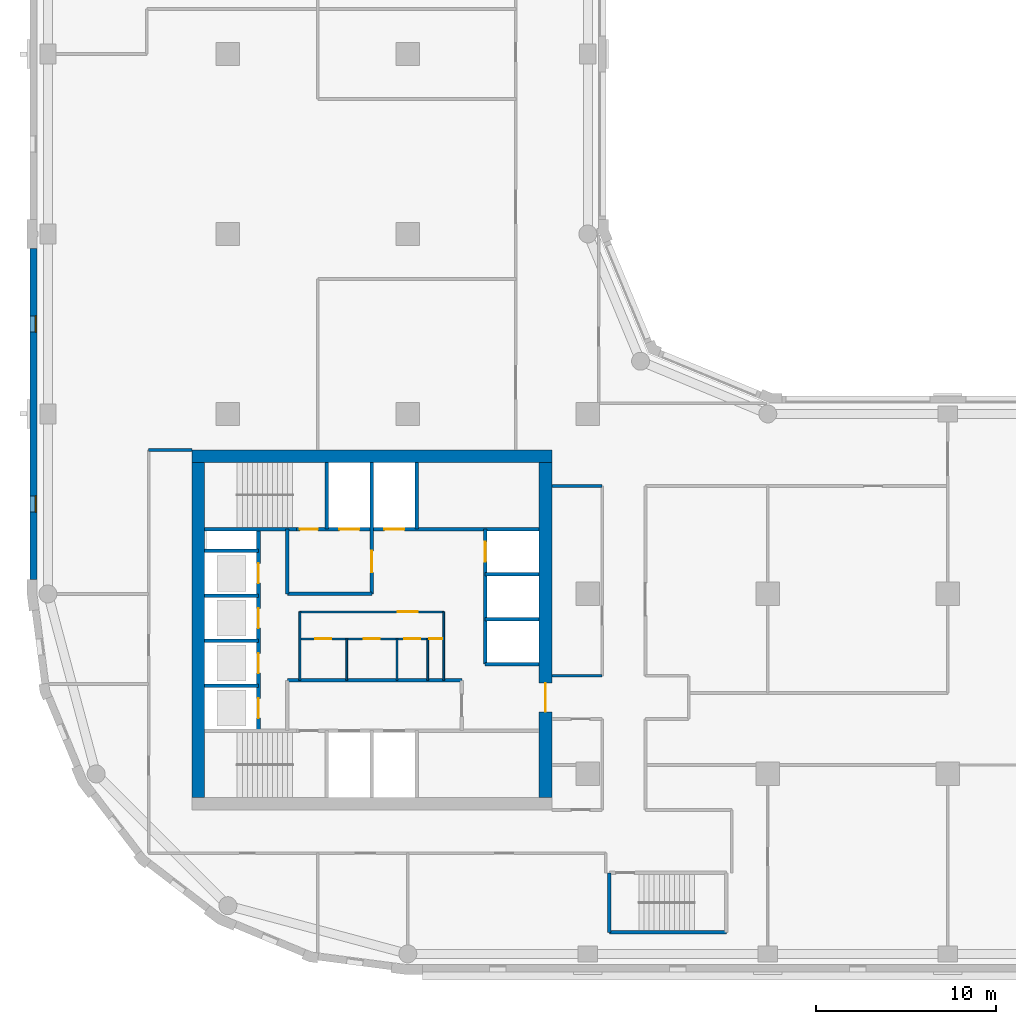
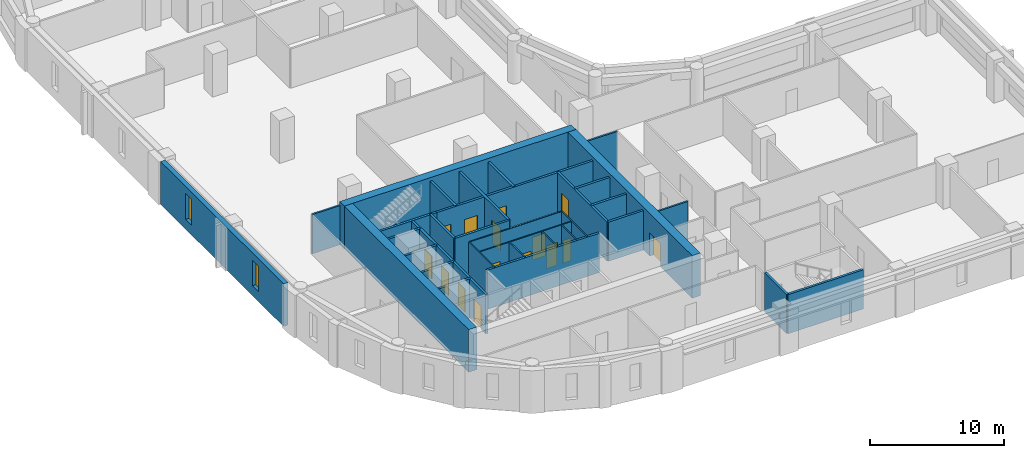
# One storey, part 3 of 9: 33 walls, 15 doors, 2 windows, 17 openings.
"""IFC4 building model written with IfcOpenShell, lengths in metres."""

import ifcopenshell
import ifcopenshell.guid

model = None  # the IFC model being written
_history = None  # IfcOwnerHistory: only IFC2X3 demands one
_inside = {}  # id of a spatial element -> (the spatial element, [elements in it])
_under = {}  # id of a project, library or spatial element -> (it, [spatial elements below it])
_declared = {}  # id of a project -> (the project, [libraries it declares])
_typed = {}  # id of a type object -> (the type object, [elements of that type])
_made_of = {}  # id of a material, layer set ... -> (it, [elements and type objects made of it])


def new_model(schema):
    """Start an empty IFC model of exactly this schema.

    Asked for "IFC4X3", IfcOpenShell would pick the latest addendum, in which some entities
    have other attributes; the version numbers below select the first issue.
    IFC2X3 requires an IfcOwnerHistory on every rooted entity: one is made here for all.
    """
    global model, _history
    if schema == "IFC4X3":
        model = ifcopenshell.file(schema_version=(4, 3, 0, 0))
    else:
        model = ifcopenshell.file(schema=schema)
    _inside.clear()
    _under.clear()
    _declared.clear()
    _typed.clear()
    _made_of.clear()
    _history = None
    if model.schema == "IFC2X3":
        org = make("IfcOrganization", Name="unknown")
        user = make(
            "IfcPersonAndOrganization",
            ThePerson=make("IfcPerson", FamilyName="unknown"),
            TheOrganization=org,
        )
        app = make(
            "IfcApplication",
            ApplicationDeveloper=org,
            Version="unknown",
            ApplicationFullName="unknown",
            ApplicationIdentifier="unknown",
        )
        _history = make(
            "IfcOwnerHistory",
            OwningUser=user,
            OwningApplication=app,
            ChangeAction="ADDED",
            CreationDate=0,
        )
    return model


def make(cls, **values):
    """One entity of the class cls with the attributes given. An attribute that is None is left unset."""
    return model.create_entity(
        cls, **{name: value for name, value in values.items() if value is not None}
    )


def rooted(cls, **values):
    """An entity with a GlobalId (a new one), such as an element, a storey or a relation."""
    return make(cls, GlobalId=ifcopenshell.guid.new(), OwnerHistory=_history, **values)


def si_unit(unit_type, name, prefix=None):
    """IfcSIUnit, for example si_unit("LENGTHUNIT", "METRE", prefix="MILLI")."""
    return make("IfcSIUnit", UnitType=unit_type, Prefix=prefix, Name=name)


def assignment(units):
    """IfcUnitAssignment: the units of a project."""
    return None if units is None else make("IfcUnitAssignment", Units=units)


def point(xyz):
    """IfcCartesianPoint."""
    return None if xyz is None else make("IfcCartesianPoint", Coordinates=xyz)


def direction(xyz):
    """IfcDirection."""
    return None if xyz is None else make("IfcDirection", DirectionRatios=xyz)


def frame(location, z_axis=None, x_axis=None):
    """IfcAxis2Placement3D, a coordinate frame: its origin and axes. An axis left out is left unset."""
    return make(
        "IfcAxis2Placement3D",
        Location=point(location),
        Axis=direction(z_axis),
        RefDirection=direction(x_axis),
    )


def frame_2d(location, x_axis=None):
    """IfcAxis2Placement2D, a coordinate frame in the plane: its origin and x axis."""
    return make(
        "IfcAxis2Placement2D", Location=point(location), RefDirection=direction(x_axis)
    )


def origin():
    """The frame at (0, 0, 0) with its axes left unset."""
    return frame((0.0, 0.0, 0.0))


def place(relative_to, where):
    """IfcLocalPlacement: puts the frame where relative to a parent placement (None: the world)."""
    return make(
        "IfcLocalPlacement", PlacementRelTo=relative_to, RelativePlacement=where
    )


def context(
    kind, dimensions, precision=None, world=None, true_north=None, identifier=None
):
    """IfcGeometricRepresentationContext, for example the 3D "Model" context."""
    return make(
        "IfcGeometricRepresentationContext",
        ContextIdentifier=identifier,
        ContextType=kind,
        CoordinateSpaceDimension=dimensions,
        Precision=precision,
        WorldCoordinateSystem=world,
        TrueNorth=true_north,
    )


def subcontext(parent, identifier, kind, view, scale=None):
    """IfcGeometricRepresentationSubContext, for example "Body" below "Model"."""
    return make(
        "IfcGeometricRepresentationSubContext",
        ContextIdentifier=identifier,
        ContextType=kind,
        ParentContext=parent,
        TargetScale=scale,
        TargetView=view,
    )


def project(units=None, contexts=None):
    """IfcProject with its units and contexts."""
    return rooted(
        "IfcProject",
        Name="project",
        RepresentationContexts=contexts,
        UnitsInContext=assignment(units),
    )


def spatial(cls, under=None, at=None, **own):
    """A site, building, storey or space (cls), placed at a placement, below another one or the project."""
    s = rooted(cls, ObjectPlacement=at, **own)
    if under is not None:
        _under.setdefault(under.id(), (under, []))[1].append(s)
    return s


def profile(cls, at=None, kind="AREA", **sizes):
    """A parametric profile (cls). Its sizes go by their IFC names, for example OverallWidth=200.0."""
    return make(cls, ProfileType=kind, Position=at, **sizes)


def rectangle(**sizes):
    """IfcRectangleProfileDef."""
    return profile("IfcRectangleProfileDef", **sizes)


def extrude(swept, where, along, depth):
    """IfcExtrudedAreaSolid: the profile swept, set in the frame where, extruded along a direction by depth."""
    return make(
        "IfcExtrudedAreaSolid",
        SweptArea=swept,
        Position=where,
        ExtrudedDirection=direction(along),
        Depth=depth,
    )


def shape(context_of_items, identifier, shape_type, items):
    """IfcShapeRepresentation: the items that make up one representation, for example the "Body"."""
    return make(
        "IfcShapeRepresentation",
        ContextOfItems=context_of_items,
        RepresentationIdentifier=identifier,
        RepresentationType=shape_type,
        Items=items,
    )


def material(Name=None, Category=None):
    """IfcMaterial."""
    return make("IfcMaterial", Name=Name, Category=Category)


def layer(
    of_material, thickness, ventilated=None, Name=None, Category=None, Priority=None
):
    """IfcMaterialLayer: one layer of a wall or slab, of a material (None: an air gap)."""
    return make(
        "IfcMaterialLayer",
        Material=of_material,
        LayerThickness=thickness,
        IsVentilated=ventilated,
        Name=Name,
        Category=Category,
        Priority=Priority,
    )


def layer_set(layers, Name=None):
    """IfcMaterialLayerSet."""
    return make("IfcMaterialLayerSet", MaterialLayers=layers, LayerSetName=Name)


def made_of(thing, what):
    """Note that an element or type object is made of a material, layer set ...; save() writes the relation."""
    if what is not None:
        _made_of.setdefault(what.id(), (what, []))[1].append(thing)
    return thing


def type_object(cls, material=None, **own):
    """A type object (cls), such as IfcWallType, which elements share."""
    return made_of(rooted(cls, **own), material)


def element(
    cls,
    number,
    at=None,
    inside=None,
    cuts=None,
    type_object=None,
    material=None,
    context=None,
    identifier="Body",
    shape_type=None,
    held_by="IfcProductDefinitionShape",
    body=None,
    shapes=None,
    **own,
):
    """One element of the class cls, such as IfcWall. Its Tag is "e" and its number.

    at: its placement. inside: the storey or other place that contains it. cuts: it is an
    opening in that element (IfcRelVoidsElement). A single representation is given by context,
    identifier, shape_type and body (its items); several are given by shapes. held_by: the class
    of the entity that holds the representations. save() writes the other relations.
    """
    e = rooted(cls, Tag="e%d" % number, ObjectPlacement=at, **own)
    if body is not None:
        shapes = [shape(context, identifier, shape_type, body)]
    if shapes is not None:
        e.Representation = make(held_by, Representations=shapes)
    if inside is not None:
        _inside.setdefault(inside.id(), (inside, []))[1].append(e)
    if cuts is not None:
        rooted(
            "IfcRelVoidsElement", RelatingBuildingElement=cuts, RelatedOpeningElement=e
        )
    if type_object is not None:
        _typed.setdefault(type_object.id(), (type_object, []))[1].append(e)
    return made_of(e, material)


def fill(opening, filler):
    """IfcRelFillsElement: the door or window that sits in an opening."""
    return rooted(
        "IfcRelFillsElement",
        RelatingOpeningElement=opening,
        RelatedBuildingElement=filler,
    )


def aggregate(whole, parts):
    """IfcRelAggregates: a whole, such as a stair, and the parts it consists of."""
    return rooted("IfcRelAggregates", RelatingObject=whole, RelatedObjects=parts)


def save(model, path):
    """Write the relations noted so far, then the file.

    IfcRelAggregates (storeys below a building ...), IfcRelContainedInSpatialStructure (elements
    in a storey), IfcRelDefinesByType, IfcRelAssociatesMaterial and IfcRelDeclares: one each for
    every whole, place, type object, material and project.
    """
    for whole, parts in _under.values():
        aggregate(whole, parts)
    for where, things in _inside.values():
        rooted(
            "IfcRelContainedInSpatialStructure",
            RelatedElements=things,
            RelatingStructure=where,
        )
    for kind, things in _typed.values():
        rooted("IfcRelDefinesByType", RelatedObjects=things, RelatingType=kind)
    for what, things in _made_of.values():
        rooted("IfcRelAssociatesMaterial", RelatedObjects=things, RelatingMaterial=what)
    for by, libraries in _declared.values():
        rooted("IfcRelDeclares", RelatingContext=by, RelatedDefinitions=libraries)
    model.write(path)


model = new_model("IFC4")

# Units and contexts
model_context = context("Model", 3, precision=1e-05, world=origin(), true_north=direction((0.0, 1.0)))
body_context = subcontext(model_context, "Body", "Model", "MODEL_VIEW")
ifc_project = project(units=[si_unit("LENGTHUNIT", "METRE"), si_unit("AREAUNIT", "SQUARE_METRE"), si_unit("VOLUMEUNIT", "CUBIC_METRE"), si_unit("PLANEANGLEUNIT", "RADIAN"), si_unit("MASSUNIT", "GRAM", prefix="KILO")], contexts=[model_context])

# Site, building, storey
site_placement = place(None, origin())
site = spatial("IfcSite", under=ifc_project, at=site_placement, CompositionType="ELEMENT")
building_placement = place(site_placement, origin())
building = spatial("IfcBuilding", under=site, at=building_placement, Name="Qaws Garden Tower", CompositionType="ELEMENT")
storey_placement = place(building_placement, frame((0.0, 0.0, 194.10009765625)))
storey = spatial("IfcBuildingStorey", under=building, at=storey_placement, Name="L47", CompositionType="ELEMENT", Elevation=194.10009765625)

# Wall, openings, windows
ifc_material_1 = material(Name="Clay facing brick masonry", Category="masonry")
ifc_layer_1 = layer(ifc_material_1, 0.39990234375)
ifc_layer_set_1 = layer_set([ifc_layer_1], Name="Clay facing brick masonry")
wall_type_1 = type_object("IfcWallType", Name="Brick infill wall 400", PredefinedType="SOLIDWALL", material=ifc_layer_set_1)
wall_1_placement = place(storey_placement, frame((-0.800048828125, 39.199951171875, 0.0), z_axis=(0.0, 0.0, 1.0), x_axis=(0.0, -1.0, 0.0)))
wall_1 = element("IfcWall", 1, at=wall_1_placement, inside=storey, type_object=wall_type_1, Name="E-L47-infill-23", PredefinedType="SOLIDWALL", context=body_context, shape_type="SweptSolid", body=[
    extrude(rectangle(XDim=18.39990234375, YDim=0.39990234375, at=frame_2d((9.199951171875, 0.0))), origin(), (0.0, 0.0, 1.0), 3.89990234375),
])
opening_1_placement = place(wall_1_placement, frame((3.75, 0.0, 0.89990234375)))
opening_1 = element("IfcOpeningElement", 2, at=opening_1_placement, cuts=wall_1, Name="Opening W09", PredefinedType="OPENING", context=body_context, shape_type="SweptSolid", body=[
    extrude(rectangle(XDim=0.89990234375, YDim=2.35009765625, at=frame_2d((0.449951171875, 1.175048828125))), frame((0.0, 0.2099609375, 0.0), z_axis=(0.0, -1.0, 0.0), x_axis=(1.0, 0.0, 0.0)), (0.0, 0.0, 1.0), 0.419921875),
])
opening_2_placement = place(wall_1_placement, frame((13.75, 0.0, 0.89990234375)))
opening_2 = element("IfcOpeningElement", 3, at=opening_2_placement, cuts=wall_1, Name="Opening W09", PredefinedType="OPENING", context=body_context, shape_type="SweptSolid", body=[
    extrude(rectangle(XDim=0.89990234375, YDim=2.35009765625, at=frame_2d((0.449951171875, 1.175048828125))), frame((0.0, 0.2099609375, 0.0), z_axis=(0.0, -1.0, 0.0), x_axis=(1.0, 0.0, 0.0)), (0.0, 0.0, 1.0), 0.419921875),
])
ifc_material_2 = material(Name="Aluminium framed window, clear glazing", Category="aluminium")
window_type = type_object("IfcWindowType", Name="Slit window 900 x 2350", PartitioningType="SINGLE_PANEL", PredefinedType="WINDOW", material=ifc_material_2)
window_1_placement = place(opening_1_placement, origin())
window_1 = element("IfcWindow", 4, at=window_1_placement, inside=storey, type_object=window_type, Name="E-L47-window-23-0", OverallHeight=2.35009765625, OverallWidth=0.89990234375, PartitioningType="SINGLE_PANEL", PredefinedType="WINDOW", context=body_context, shape_type="SweptSolid", body=[
    extrude(rectangle(XDim=0.89990234375, YDim=2.35009765625, at=frame_2d((0.449951171875, 1.175048828125))), frame((0.0, 0.159912109375, 0.0), z_axis=(0.0, -1.0, 0.0), x_axis=(1.0, 0.0, 0.0)), (0.0, 0.0, 1.0), 0.06005859375),
])
fill(opening_1, window_1)
window_2_placement = place(opening_2_placement, origin())
window_2 = element("IfcWindow", 5, at=window_2_placement, inside=storey, type_object=window_type, Name="E-L47-window-24-0", OverallHeight=2.35009765625, OverallWidth=0.89990234375, PartitioningType="SINGLE_PANEL", PredefinedType="WINDOW", context=body_context, shape_type="SweptSolid", body=[
    extrude(rectangle(XDim=0.89990234375, YDim=2.35009765625, at=frame_2d((0.449951171875, 1.175048828125))), frame((0.0, 0.159912109375, 0.0), z_axis=(0.0, -1.0, 0.0), x_axis=(1.0, 0.0, 0.0)), (0.0, 0.0, 1.0), 0.06005859375),
])
fill(opening_2, window_2)

# Wall, openings, doors
ifc_material_3 = material(Name="Plasterboard")
ifc_layer_2 = layer(ifc_material_3, 0.10009765625)
ifc_layer_set_2 = layer_set([ifc_layer_2], Name="Plasterboard")
wall_type_2 = type_object("IfcWallType", Name="Core partition 100", PredefinedType="PARTITIONING", material=ifc_layer_set_2)
wall_2_placement = place(storey_placement, frame((14.0, 17.5, 0.0), z_axis=(0.0, 0.0, 1.0), x_axis=(1.0, 0.0, 0.0)))
wall_2 = element("IfcWall", 6, at=wall_2_placement, inside=storey, type_object=wall_type_2, Name="Core partition", PredefinedType="PARTITIONING", context=body_context, shape_type="SweptSolid", body=[
    extrude(rectangle(XDim=8.0, YDim=0.10009765625, at=frame_2d((4.0, 0.0))), origin(), (0.0, 0.0, 1.0), 3.579833984375),
])
opening_3_placement = place(wall_2_placement, frame((0.85009765625, 0.0, 0.0)))
opening_3 = element("IfcOpeningElement", 7, at=opening_3_placement, cuts=wall_2, Name="Opening WD18", PredefinedType="OPENING", context=body_context, shape_type="SweptSolid", body=[
    extrude(rectangle(XDim=0.89990234375, YDim=2.10009765625, at=frame_2d((0.449951171875, 1.050048828125))), frame((0.0, 0.06005859375, 0.0), z_axis=(0.0, -1.0, 0.0), x_axis=(1.0, 0.0, 0.0)), (0.0, 0.0, 1.0), 0.1201171875),
])
opening_4_placement = place(wall_2_placement, frame((3.550048828125, 0.0, 0.0)))
opening_4 = element("IfcOpeningElement", 8, at=opening_4_placement, cuts=wall_2, Name="Opening WD19", PredefinedType="OPENING", context=body_context, shape_type="SweptSolid", body=[
    extrude(rectangle(XDim=0.89990234375, YDim=2.10009765625, at=frame_2d((0.449951171875, 1.050048828125))), frame((0.0, 0.06005859375, 0.0), z_axis=(0.0, -1.0, 0.0), x_axis=(1.0, 0.0, 0.0)), (0.0, 0.0, 1.0), 0.1201171875),
])
opening_5_placement = place(wall_2_placement, frame((5.800048828125, 0.0, 0.0)))
opening_5 = element("IfcOpeningElement", 9, at=opening_5_placement, cuts=wall_2, Name="Opening WD20", PredefinedType="OPENING", context=body_context, shape_type="SweptSolid", body=[
    extrude(rectangle(XDim=0.89990234375, YDim=2.10009765625, at=frame_2d((0.449951171875, 1.050048828125))), frame((0.0, 0.06005859375, 0.0), z_axis=(0.0, -1.0, 0.0), x_axis=(1.0, 0.0, 0.0)), (0.0, 0.0, 1.0), 0.1201171875),
])
opening_6_placement = place(wall_2_placement, frame((7.199951171875, 0.0, 0.0)))
opening_6 = element("IfcOpeningElement", 10, at=opening_6_placement, cuts=wall_2, Name="Opening XD21", PredefinedType="OPENING", context=body_context, shape_type="SweptSolid", body=[
    extrude(rectangle(XDim=0.699951171875, YDim=2.10009765625, at=frame_2d((0.35009765625, 1.050048828125))), frame((0.0, 0.06005859375, 0.0), z_axis=(0.0, -1.0, 0.0), x_axis=(1.0, 0.0, 0.0)), (0.0, 0.0, 1.0), 0.1201171875),
])
ifc_material_4 = material(Name="Timber", Category="wood")
door_type_1 = type_object("IfcDoorType", Name="Store door 700x2100", OperationType="SINGLE_SWING_LEFT", PredefinedType="DOOR", material=ifc_material_4)
door_1_placement = place(opening_6_placement, frame((0.699951171875, 0.0, 0.0), z_axis=(0.0, 0.0, 1.0), x_axis=(-1.0, 0.0, 0.0)))
door_1 = element("IfcDoor", 11, at=door_1_placement, inside=storey, type_object=door_type_1, Name="Cleaner's store door", OperationType="SINGLE_SWING_LEFT", OverallHeight=2.10009765625, OverallWidth=0.699951171875, PredefinedType="DOOR", context=body_context, shape_type="SweptSolid", body=[
    extrude(rectangle(XDim=0.699951171875, YDim=2.10009765625, at=frame_2d((0.35009765625, 1.050048828125))), frame((0.0, 0.02490234375, 0.0), z_axis=(0.0, -1.0, 0.0), x_axis=(1.0, 0.0, 0.0)), (0.0, 0.0, 1.0), 0.050048828125),
])
fill(opening_6, door_1)
ifc_material_5 = material(Name="Timber", Category="wood")
door_type_2 = type_object("IfcDoorType", Name="WC door 900x2100", OperationType="SINGLE_SWING_LEFT", PredefinedType="DOOR", material=ifc_material_5)
door_2_placement = place(opening_3_placement, frame((0.89990234375, 0.0, 0.0), z_axis=(0.0, 0.0, 1.0), x_axis=(-1.0, 0.0, 0.0)))
door_2 = element("IfcDoor", 12, at=door_2_placement, inside=storey, type_object=door_type_2, Name="Men's WC door", OperationType="SINGLE_SWING_LEFT", OverallHeight=2.10009765625, OverallWidth=0.89990234375, PredefinedType="DOOR", context=body_context, shape_type="SweptSolid", body=[
    extrude(rectangle(XDim=0.89990234375, YDim=2.10009765625, at=frame_2d((0.449951171875, 1.050048828125))), frame((0.0, 0.02490234375, 0.0), z_axis=(0.0, -1.0, 0.0), x_axis=(1.0, 0.0, 0.0)), (0.0, 0.0, 1.0), 0.050048828125),
])
fill(opening_3, door_2)
door_3_placement = place(opening_4_placement, frame((0.89990234375, 0.0, 0.0), z_axis=(0.0, 0.0, 1.0), x_axis=(-1.0, 0.0, 0.0)))
door_3 = element("IfcDoor", 13, at=door_3_placement, inside=storey, type_object=door_type_2, Name="Women's WC door", OperationType="SINGLE_SWING_LEFT", OverallHeight=2.10009765625, OverallWidth=0.89990234375, PredefinedType="DOOR", context=body_context, shape_type="SweptSolid", body=[
    extrude(rectangle(XDim=0.89990234375, YDim=2.10009765625, at=frame_2d((0.449951171875, 1.050048828125))), frame((0.0, 0.02490234375, 0.0), z_axis=(0.0, -1.0, 0.0), x_axis=(1.0, 0.0, 0.0)), (0.0, 0.0, 1.0), 0.050048828125),
])
fill(opening_4, door_3)
door_4_placement = place(opening_5_placement, frame((0.89990234375, 0.0, 0.0), z_axis=(0.0, 0.0, 1.0), x_axis=(-1.0, 0.0, 0.0)))
door_4 = element("IfcDoor", 14, at=door_4_placement, inside=storey, type_object=door_type_2, Name="Accessible WC door", OperationType="SINGLE_SWING_LEFT", OverallHeight=2.10009765625, OverallWidth=0.89990234375, PredefinedType="DOOR", context=body_context, shape_type="SweptSolid", body=[
    extrude(rectangle(XDim=0.89990234375, YDim=2.10009765625, at=frame_2d((0.449951171875, 1.050048828125))), frame((0.0, 0.02490234375, 0.0), z_axis=(0.0, -1.0, 0.0), x_axis=(1.0, 0.0, 0.0)), (0.0, 0.0, 1.0), 0.050048828125),
])
fill(opening_5, door_4)

# Wall, opening, door
wall_3_placement = place(storey_placement, frame((14.0, 19.0, 0.0), z_axis=(0.0, 0.0, 1.0), x_axis=(1.0, 0.0, 0.0)))
wall_3 = element("IfcWall", 15, at=wall_3_placement, inside=storey, type_object=wall_type_2, Name="Core partition", PredefinedType="PARTITIONING", context=body_context, shape_type="SweptSolid", body=[
    extrude(rectangle(XDim=8.0, YDim=0.10009765625, at=frame_2d((4.0, 0.0))), origin(), (0.0, 0.0, 1.0), 3.579833984375),
])
opening_7_placement = place(wall_3_placement, frame((5.449951171875, 0.0, 0.0)))
opening_7 = element("IfcOpeningElement", 16, at=opening_7_placement, cuts=wall_3, Name="Opening WL17", PredefinedType="OPENING", context=body_context, shape_type="SweptSolid", body=[
    extrude(rectangle(XDim=1.10009765625, YDim=2.10009765625, at=frame_2d((0.550048828125, 1.050048828125))), frame((0.0, 0.06005859375, 0.0), z_axis=(0.0, -1.0, 0.0), x_axis=(1.0, 0.0, 0.0)), (0.0, 0.0, 1.0), 0.1201171875),
])
ifc_material_6 = material(Name="Timber", Category="wood")
door_type_3 = type_object("IfcDoorType", Name="WC lobby door 1100x2100", OperationType="SINGLE_SWING_LEFT", PredefinedType="DOOR", material=ifc_material_6)
door_5_placement = place(opening_7_placement, frame((1.10009765625, 0.0, 0.0), z_axis=(0.0, 0.0, 1.0), x_axis=(-1.0, 0.0, 0.0)))
door_5 = element("IfcDoor", 17, at=door_5_placement, inside=storey, type_object=door_type_3, Name="WC lobby door", OperationType="SINGLE_SWING_LEFT", OverallHeight=2.10009765625, OverallWidth=1.10009765625, PredefinedType="DOOR", context=body_context, shape_type="SweptSolid", body=[
    extrude(rectangle(XDim=1.10009765625, YDim=2.10009765625, at=frame_2d((0.550048828125, 1.050048828125))), frame((0.0, 0.02490234375, 0.0), z_axis=(0.0, -1.0, 0.0), x_axis=(1.0, 0.0, 0.0)), (0.0, 0.0, 1.0), 0.050048828125),
])
fill(opening_7, door_5)

# Walls
wall_4_placement = place(storey_placement, frame((14.0, 15.199951171875, 0.0), z_axis=(0.0, 0.0, 1.0), x_axis=(0.0, 1.0, 0.0)))
element("IfcWall", 18, at=wall_4_placement, inside=storey, type_object=wall_type_2, Name="Core partition", PredefinedType="PARTITIONING", context=body_context, shape_type="SweptSolid", body=[
    extrude(rectangle(XDim=3.800048828125, YDim=0.10009765625, at=frame_2d((1.89990234375, 0.0))), origin(), (0.0, 0.0, 1.0), 3.579833984375),
])
for number, where, z_axis, x_axis, name in (
    (19, (16.60009765625, 15.199951171875, 0.0), (0.0, 0.0, 1.0), (0.0, 1.0, 0.0), "Core partition"),
    (20, (19.39990234375, 15.199951171875, 0.0), (0.0, 0.0, 1.0), (0.0, 1.0, 0.0), "Core partition"),
    (21, (21.10009765625, 15.199951171875, 0.0), (0.0, 0.0, 1.0), (0.0, 1.0, 0.0), "Core partition"),
):
    element("IfcWall", number, at=place(storey_placement, frame(where, z_axis=z_axis, x_axis=x_axis)), inside=storey, type_object=wall_type_2, Name=name, PredefinedType="PARTITIONING", context=body_context, shape_type="SweptSolid", body=[
        extrude(rectangle(XDim=2.300048828125, YDim=0.10009765625, at=frame_2d((1.14990234375, 0.0))), origin(), (0.0, 0.0, 1.0), 3.579833984375),
    ])
wall_5_placement = place(storey_placement, frame((22.0, 15.199951171875, 0.0), z_axis=(0.0, 0.0, 1.0), x_axis=(0.0, 1.0, 0.0)))
element("IfcWall", 22, at=wall_5_placement, inside=storey, type_object=wall_type_2, Name="Core partition", PredefinedType="PARTITIONING", context=body_context, shape_type="SweptSolid", body=[
    extrude(rectangle(XDim=3.800048828125, YDim=0.10009765625, at=frame_2d((1.89990234375, 0.0))), origin(), (0.0, 0.0, 1.0), 3.579833984375),
])
ifc_material_7 = material(Name="Concrete C70", Category="concrete")
ifc_layer_3 = layer(ifc_material_7, 0.199951171875)
ifc_layer_set_3 = layer_set([ifc_layer_3], Name="Concrete C70")
wall_type_3 = type_object("IfcWallType", Name="Core shaft wall 200 C70", PredefinedType="SHEAR", material=ifc_layer_set_3)
wall_6_placement = place(storey_placement, frame((31.199951171875, 1.199951171875, 0.0), z_axis=(0.0, 0.0, 1.0), x_axis=(1.0, 0.0, 0.0)))
element("IfcWall", 23, at=wall_6_placement, inside=storey, type_object=wall_type_3, Name="Shaft wall", PredefinedType="SHEAR", context=body_context, shape_type="SweptSolid", body=[
    extrude(rectangle(XDim=6.5, YDim=0.199951171875, at=frame_2d((3.25, 0.0))), origin(), (0.0, 0.0, 1.0), 3.579833984375),
])
wall_7_placement = place(storey_placement, frame((8.699951171875, 14.89990234375, 0.0), z_axis=(0.0, 0.0, 1.0), x_axis=(1.0, 0.0, 0.0)))
element("IfcWall", 24, at=wall_7_placement, inside=storey, type_object=wall_type_3, Name="Shaft wall", PredefinedType="SHEAR", context=body_context, shape_type="SweptSolid", body=[
    extrude(rectangle(XDim=3.0, YDim=0.199951171875, at=frame_2d((1.5, 0.0))), origin(), (0.0, 0.0, 1.0), 3.579833984375),
])
wall_8_placement = place(storey_placement, frame((13.300048828125, 15.199951171875, 0.0), z_axis=(0.0, 0.0, 1.0), x_axis=(1.0, 0.0, 0.0)))
element("IfcWall", 25, at=wall_8_placement, inside=storey, type_object=wall_type_3, Name="Shaft wall", PredefinedType="SHEAR", context=body_context, shape_type="SweptSolid", body=[
    extrude(rectangle(XDim=9.699951171875, YDim=0.199951171875, at=frame_2d((4.85009765625, 0.0))), origin(), (0.0, 0.0, 1.0), 3.579833984375),
])
for number, where, z_axis, x_axis, name in (
    (26, (24.300048828125, 16.10009765625, 0.0), (0.0, 0.0, 1.0), (1.0, 0.0, 0.0), "Shaft wall"),
    (27, (8.699951171875, 17.39990234375, 0.0), (0.0, 0.0, 1.0), (1.0, 0.0, 0.0), "Shaft wall"),
    (28, (24.300048828125, 18.60009765625, 0.0), (0.0, 0.0, 1.0), (1.0, 0.0, 0.0), "Shaft wall"),
    (29, (8.699951171875, 19.89990234375, 0.0), (0.0, 0.0, 1.0), (1.0, 0.0, 0.0), "Shaft wall"),
):
    element("IfcWall", number, at=place(storey_placement, frame(where, z_axis=z_axis, x_axis=x_axis)), inside=storey, type_object=wall_type_3, Name=name, PredefinedType="SHEAR", context=body_context, shape_type="SweptSolid", body=[
        extrude(rectangle(XDim=3.0, YDim=0.199951171875, at=frame_2d((1.5, 0.0))), origin(), (0.0, 0.0, 1.0), 3.579833984375),
    ])
wall_9_placement = place(storey_placement, frame((13.300048828125, 20.0, 0.0), z_axis=(0.0, 0.0, 1.0), x_axis=(1.0, 0.0, 0.0)))
element("IfcWall", 30, at=wall_9_placement, inside=storey, type_object=wall_type_3, Name="Shaft wall", PredefinedType="SHEAR", context=body_context, shape_type="SweptSolid", body=[
    extrude(rectangle(XDim=4.699951171875, YDim=0.199951171875, at=frame_2d((2.35009765625, 0.0))), origin(), (0.0, 0.0, 1.0), 3.579833984375),
])
for number, where, z_axis, x_axis, name in (
    (31, (24.300048828125, 21.10009765625, 0.0), (0.0, 0.0, 1.0), (1.0, 0.0, 0.0), "Shaft wall"),
    (32, (8.699951171875, 22.39990234375, 0.0), (0.0, 0.0, 1.0), (1.0, 0.0, 0.0), "Shaft wall"),
):
    element("IfcWall", number, at=place(storey_placement, frame(where, z_axis=z_axis, x_axis=x_axis)), inside=storey, type_object=wall_type_3, Name=name, PredefinedType="SHEAR", context=body_context, shape_type="SweptSolid", body=[
        extrude(rectangle(XDim=3.0, YDim=0.199951171875, at=frame_2d((1.5, 0.0))), origin(), (0.0, 0.0, 1.0), 3.579833984375),
    ])
wall_10_placement = place(storey_placement, frame((8.699951171875, 23.60009765625, 0.0), z_axis=(0.0, 0.0, 1.0), x_axis=(1.0, 0.0, 0.0)))
element("IfcWall", 33, at=wall_10_placement, inside=storey, type_object=wall_type_3, Name="Shaft wall", PredefinedType="SHEAR", context=body_context, shape_type="SweptSolid", body=[
    extrude(rectangle(XDim=5.10009765625, YDim=0.199951171875, at=frame_2d((2.550048828125, 0.0))), origin(), (0.0, 0.0, 1.0), 3.579833984375),
])

# Wall, openings, doors
wall_11_placement = place(storey_placement, frame((13.800048828125, 23.60009765625, 0.0), z_axis=(0.0, 0.0, 1.0), x_axis=(1.0, 0.0, 0.0)))
wall_11 = element("IfcWall", 34, at=wall_11_placement, inside=storey, type_object=wall_type_3, Name="Shaft wall", PredefinedType="SHEAR", context=body_context, shape_type="SweptSolid", body=[
    extrude(rectangle(XDim=13.5, YDim=0.199951171875, at=frame_2d((6.75, 0.0))), origin(), (0.0, 0.0, 1.0), 3.579833984375),
])
opening_8_placement = place(wall_11_placement, frame((2.39990234375, 0.0, 0.0)))
opening_8 = element("IfcOpeningElement", 35, at=opening_8_placement, cuts=wall_11, Name="Opening LD08", PredefinedType="OPENING", context=body_context, shape_type="SweptSolid", body=[
    extrude(rectangle(XDim=1.10009765625, YDim=2.10009765625, at=frame_2d((0.550048828125, 1.050048828125))), frame((0.0, 0.10986328125, 0.0), z_axis=(0.0, -1.0, 0.0), x_axis=(1.0, 0.0, 0.0)), (0.0, 0.0, 1.0), 0.219970703125),
])
opening_9_placement = place(wall_11_placement, frame((4.89990234375, 0.0, 0.0)))
opening_9 = element("IfcOpeningElement", 36, at=opening_9_placement, cuts=wall_11, Name="Opening LD09", PredefinedType="OPENING", context=body_context, shape_type="SweptSolid", body=[
    extrude(rectangle(XDim=1.10009765625, YDim=2.10009765625, at=frame_2d((0.550048828125, 1.050048828125))), frame((0.0, 0.10986328125, 0.0), z_axis=(0.0, -1.0, 0.0), x_axis=(1.0, 0.0, 0.0)), (0.0, 0.0, 1.0), 0.219970703125),
])
opening_10_placement = place(wall_11_placement, frame((0.199951171875, 0.0, 0.0)))
opening_10 = element("IfcOpeningElement", 37, at=opening_10_placement, cuts=wall_11, Name="Opening SD11", PredefinedType="OPENING", context=body_context, shape_type="SweptSolid", body=[
    extrude(rectangle(XDim=1.0, YDim=2.10009765625, at=frame_2d((0.5, 1.050048828125))), frame((0.0, 0.10986328125, 0.0), z_axis=(0.0, -1.0, 0.0), x_axis=(1.0, 0.0, 0.0)), (0.0, 0.0, 1.0), 0.219970703125),
])
ifc_material_8 = material(Name="Steel S235", Category="steel")
door_type_4 = type_object("IfcDoorType", Name="Landing door 1100x2100", OperationType="DOUBLE_DOOR_SLIDING", PredefinedType="DOOR", material=ifc_material_8)
door_6_placement = place(opening_8_placement, origin())
door_6 = element("IfcDoor", 38, at=door_6_placement, inside=storey, type_object=door_type_4, Name="Lift FF3 landing door", OperationType="DOUBLE_DOOR_SLIDING", OverallHeight=2.10009765625, OverallWidth=1.10009765625, PredefinedType="DOOR", context=body_context, shape_type="SweptSolid", body=[
    extrude(rectangle(XDim=1.10009765625, YDim=2.10009765625, at=frame_2d((0.550048828125, 1.050048828125))), frame((0.0, 0.02490234375, 0.0), z_axis=(0.0, -1.0, 0.0), x_axis=(1.0, 0.0, 0.0)), (0.0, 0.0, 1.0), 0.050048828125),
])
fill(opening_8, door_6)
door_7_placement = place(opening_9_placement, origin())
door_7 = element("IfcDoor", 39, at=door_7_placement, inside=storey, type_object=door_type_4, Name="Lift SV2 landing door", OperationType="DOUBLE_DOOR_SLIDING", OverallHeight=2.10009765625, OverallWidth=1.10009765625, PredefinedType="DOOR", context=body_context, shape_type="SweptSolid", body=[
    extrude(rectangle(XDim=1.10009765625, YDim=2.10009765625, at=frame_2d((0.550048828125, 1.050048828125))), frame((0.0, 0.02490234375, 0.0), z_axis=(0.0, -1.0, 0.0), x_axis=(1.0, 0.0, 0.0)), (0.0, 0.0, 1.0), 0.050048828125),
])
fill(opening_9, door_7)
ifc_material_9 = material(Name="Steel S235", Category="steel")
door_type_5 = type_object("IfcDoorType", Name="Stair door 1000x2100", OperationType="SINGLE_SWING_RIGHT", PredefinedType="DOOR", material=ifc_material_9)
door_8_placement = place(opening_10_placement, origin())
door_8 = element("IfcDoor", 40, at=door_8_placement, inside=storey, type_object=door_type_5, Name="Stair 4 door", OperationType="SINGLE_SWING_RIGHT", OverallHeight=2.10009765625, OverallWidth=1.0, PredefinedType="DOOR", context=body_context, shape_type="SweptSolid", body=[
    extrude(rectangle(XDim=1.0, YDim=2.10009765625, at=frame_2d((0.5, 1.050048828125))), frame((0.0, 0.02490234375, 0.0), z_axis=(0.0, -1.0, 0.0), x_axis=(1.0, 0.0, 0.0)), (0.0, 0.0, 1.0), 0.050048828125),
])
fill(opening_10, door_8)

wall_12_placement = place(storey_placement, frame((11.699951171875, 12.39990234375, 0.0), z_axis=(0.0, 0.0, 1.0), x_axis=(0.0, 1.0, 0.0)))
wall_12 = element("IfcWall", 41, at=wall_12_placement, inside=storey, type_object=wall_type_3, Name="Shaft wall", PredefinedType="SHEAR", context=body_context, shape_type="SweptSolid", body=[
    extrude(rectangle(XDim=11.2001953125, YDim=0.199951171875, at=frame_2d((5.60009765625, 0.0))), origin(), (0.0, 0.0, 1.0), 3.579833984375),
])
opening_11_placement = place(wall_12_placement, frame((0.699951171875, 0.0, 0.0)))
opening_11 = element("IfcOpeningElement", 42, at=opening_11_placement, cuts=wall_12, Name="Opening LD01", PredefinedType="OPENING", context=body_context, shape_type="SweptSolid", body=[
    extrude(rectangle(XDim=1.10009765625, YDim=2.10009765625, at=frame_2d((0.550048828125, 1.050048828125))), frame((0.0, 0.10986328125, 0.0), z_axis=(0.0, -1.0, 0.0), x_axis=(1.0, 0.0, 0.0)), (0.0, 0.0, 1.0), 0.219970703125),
])
opening_12_placement = place(wall_12_placement, frame((3.199951171875, 0.0, 0.0)))
opening_12 = element("IfcOpeningElement", 43, at=opening_12_placement, cuts=wall_12, Name="Opening LD02", PredefinedType="OPENING", context=body_context, shape_type="SweptSolid", body=[
    extrude(rectangle(XDim=1.10009765625, YDim=2.10009765625, at=frame_2d((0.550048828125, 1.050048828125))), frame((0.0, 0.10986328125, 0.0), z_axis=(0.0, -1.0, 0.0), x_axis=(1.0, 0.0, 0.0)), (0.0, 0.0, 1.0), 0.219970703125),
])
opening_13_placement = place(wall_12_placement, frame((5.699951171875, 0.0, 0.0)))
opening_13 = element("IfcOpeningElement", 44, at=opening_13_placement, cuts=wall_12, Name="Opening LD03", PredefinedType="OPENING", context=body_context, shape_type="SweptSolid", body=[
    extrude(rectangle(XDim=1.10009765625, YDim=2.10009765625, at=frame_2d((0.550048828125, 1.050048828125))), frame((0.0, 0.10986328125, 0.0), z_axis=(0.0, -1.0, 0.0), x_axis=(1.0, 0.0, 0.0)), (0.0, 0.0, 1.0), 0.219970703125),
])
opening_14_placement = place(wall_12_placement, frame((8.199951171875, 0.0, 0.0)))
opening_14 = element("IfcOpeningElement", 45, at=opening_14_placement, cuts=wall_12, Name="Opening LD04", PredefinedType="OPENING", context=body_context, shape_type="SweptSolid", body=[
    extrude(rectangle(XDim=1.10009765625, YDim=2.10009765625, at=frame_2d((0.550048828125, 1.050048828125))), frame((0.0, 0.10986328125, 0.0), z_axis=(0.0, -1.0, 0.0), x_axis=(1.0, 0.0, 0.0)), (0.0, 0.0, 1.0), 0.219970703125),
])
door_9_placement = place(opening_11_placement, origin())
door_9 = element("IfcDoor", 46, at=door_9_placement, inside=storey, type_object=door_type_4, Name="Lift W1 landing door", OperationType="DOUBLE_DOOR_SLIDING", OverallHeight=2.10009765625, OverallWidth=1.10009765625, PredefinedType="DOOR", context=body_context, shape_type="SweptSolid", body=[
    extrude(rectangle(XDim=1.10009765625, YDim=2.10009765625, at=frame_2d((0.550048828125, 1.050048828125))), frame((0.0, 0.02490234375, 0.0), z_axis=(0.0, -1.0, 0.0), x_axis=(1.0, 0.0, 0.0)), (0.0, 0.0, 1.0), 0.050048828125),
])
fill(opening_11, door_9)
door_10_placement = place(opening_12_placement, origin())
door_10 = element("IfcDoor", 47, at=door_10_placement, inside=storey, type_object=door_type_4, Name="Lift W2 landing door", OperationType="DOUBLE_DOOR_SLIDING", OverallHeight=2.10009765625, OverallWidth=1.10009765625, PredefinedType="DOOR", context=body_context, shape_type="SweptSolid", body=[
    extrude(rectangle(XDim=1.10009765625, YDim=2.10009765625, at=frame_2d((0.550048828125, 1.050048828125))), frame((0.0, 0.02490234375, 0.0), z_axis=(0.0, -1.0, 0.0), x_axis=(1.0, 0.0, 0.0)), (0.0, 0.0, 1.0), 0.050048828125),
])
fill(opening_12, door_10)
door_11_placement = place(opening_13_placement, origin())
door_11 = element("IfcDoor", 48, at=door_11_placement, inside=storey, type_object=door_type_4, Name="Lift W3 landing door", OperationType="DOUBLE_DOOR_SLIDING", OverallHeight=2.10009765625, OverallWidth=1.10009765625, PredefinedType="DOOR", context=body_context, shape_type="SweptSolid", body=[
    extrude(rectangle(XDim=1.10009765625, YDim=2.10009765625, at=frame_2d((0.550048828125, 1.050048828125))), frame((0.0, 0.02490234375, 0.0), z_axis=(0.0, -1.0, 0.0), x_axis=(1.0, 0.0, 0.0)), (0.0, 0.0, 1.0), 0.050048828125),
])
fill(opening_13, door_11)
door_12_placement = place(opening_14_placement, origin())
door_12 = element("IfcDoor", 49, at=door_12_placement, inside=storey, type_object=door_type_4, Name="Lift W4 landing door", OperationType="DOUBLE_DOOR_SLIDING", OverallHeight=2.10009765625, OverallWidth=1.10009765625, PredefinedType="DOOR", context=body_context, shape_type="SweptSolid", body=[
    extrude(rectangle(XDim=1.10009765625, YDim=2.10009765625, at=frame_2d((0.550048828125, 1.050048828125))), frame((0.0, 0.02490234375, 0.0), z_axis=(0.0, -1.0, 0.0), x_axis=(1.0, 0.0, 0.0)), (0.0, 0.0, 1.0), 0.050048828125),
])
fill(opening_14, door_12)

# Walls
wall_13_placement = place(storey_placement, frame((13.300048828125, 20.0, 0.0), z_axis=(0.0, 0.0, 1.0), x_axis=(0.0, 1.0, 0.0)))
element("IfcWall", 50, at=wall_13_placement, inside=storey, type_object=wall_type_3, Name="Shaft wall", PredefinedType="SHEAR", context=body_context, shape_type="SweptSolid", body=[
    extrude(rectangle(XDim=3.60009765625, YDim=0.199951171875, at=frame_2d((1.800048828125, 0.0))), origin(), (0.0, 0.0, 1.0), 3.579833984375),
])
wall_14_placement = place(storey_placement, frame((15.5, 23.60009765625, 0.0), z_axis=(0.0, 0.0, 1.0), x_axis=(0.0, 1.0, 0.0)))
element("IfcWall", 51, at=wall_14_placement, inside=storey, type_object=wall_type_3, Name="Shaft wall", PredefinedType="SHEAR", context=body_context, shape_type="SweptSolid", body=[
    extrude(rectangle(XDim=3.699951171875, YDim=0.199951171875, at=frame_2d((1.85009765625, 0.0))), origin(), (0.0, 0.0, 1.0), 3.579833984375),
])

# Wall, opening, door
wall_15_placement = place(storey_placement, frame((18.0, 20.0, 0.0), z_axis=(0.0, 0.0, 1.0), x_axis=(0.0, 1.0, 0.0)))
wall_15 = element("IfcWall", 52, at=wall_15_placement, inside=storey, type_object=wall_type_3, Name="Shaft wall", PredefinedType="SHEAR", context=body_context, shape_type="SweptSolid", body=[
    extrude(rectangle(XDim=7.300048828125, YDim=0.199951171875, at=frame_2d((3.64990234375, 0.0))), origin(), (0.0, 0.0, 1.0), 3.579833984375),
])
opening_15_placement = place(wall_15_placement, frame((1.199951171875, 0.0, 0.0)))
opening_15 = element("IfcOpeningElement", 53, at=opening_15_placement, cuts=wall_15, Name="Opening FD16", PredefinedType="OPENING", context=body_context, shape_type="SweptSolid", body=[
    extrude(rectangle(XDim=1.199951171875, YDim=2.10009765625, at=frame_2d((0.60009765625, 1.050048828125))), frame((0.0, 0.10986328125, 0.0), z_axis=(0.0, -1.0, 0.0), x_axis=(1.0, 0.0, 0.0)), (0.0, 0.0, 1.0), 0.219970703125),
])
ifc_material_10 = material(Name="Steel S235", Category="steel")
door_type_6 = type_object("IfcDoorType", Name="Lobby door 1200x2100", OperationType="DOUBLE_DOOR_SINGLE_SWING", PredefinedType="DOOR", material=ifc_material_10)
door_13_placement = place(opening_15_placement, origin())
door_13 = element("IfcDoor", 54, at=door_13_placement, inside=storey, type_object=door_type_6, Name="Fire-fighting lobby door", OperationType="DOUBLE_DOOR_SINGLE_SWING", OverallHeight=2.10009765625, OverallWidth=1.199951171875, PredefinedType="DOOR", context=body_context, shape_type="SweptSolid", body=[
    extrude(rectangle(XDim=1.199951171875, YDim=2.10009765625, at=frame_2d((0.60009765625, 1.050048828125))), frame((0.0, 0.02490234375, 0.0), z_axis=(0.0, -1.0, 0.0), x_axis=(1.0, 0.0, 0.0)), (0.0, 0.0, 1.0), 0.050048828125),
])
fill(opening_15, door_13)

# Wall
wall_16_placement = place(storey_placement, frame((20.5, 23.60009765625, 0.0), z_axis=(0.0, 0.0, 1.0), x_axis=(0.0, 1.0, 0.0)))
element("IfcWall", 55, at=wall_16_placement, inside=storey, type_object=wall_type_3, Name="Shaft wall", PredefinedType="SHEAR", context=body_context, shape_type="SweptSolid", body=[
    extrude(rectangle(XDim=3.699951171875, YDim=0.199951171875, at=frame_2d((1.85009765625, 0.0))), origin(), (0.0, 0.0, 1.0), 3.579833984375),
])

# Wall, opening, door
wall_17_placement = place(storey_placement, frame((24.300048828125, 16.10009765625, 0.0), z_axis=(0.0, 0.0, 1.0), x_axis=(0.0, 1.0, 0.0)))
wall_17 = element("IfcWall", 56, at=wall_17_placement, inside=storey, type_object=wall_type_3, Name="Shaft wall", PredefinedType="SHEAR", context=body_context, shape_type="SweptSolid", body=[
    extrude(rectangle(XDim=7.5, YDim=0.199951171875, at=frame_2d((3.75, 0.0))), origin(), (0.0, 0.0, 1.0), 3.579833984375),
])
opening_16_placement = place(wall_17_placement, frame((5.699951171875, 0.0, 0.0)))
opening_16 = element("IfcOpeningElement", 57, at=opening_16_placement, cuts=wall_17, Name="Opening LD05", PredefinedType="OPENING", context=body_context, shape_type="SweptSolid", body=[
    extrude(rectangle(XDim=1.10009765625, YDim=2.10009765625, at=frame_2d((0.550048828125, 1.050048828125))), frame((0.0, 0.10986328125, 0.0), z_axis=(0.0, -1.0, 0.0), x_axis=(1.0, 0.0, 0.0)), (0.0, 0.0, 1.0), 0.219970703125),
])
door_14_placement = place(opening_16_placement, origin())
door_14 = element("IfcDoor", 58, at=door_14_placement, inside=storey, type_object=door_type_4, Name="Lift E3 landing door", OperationType="DOUBLE_DOOR_SLIDING", OverallHeight=2.10009765625, OverallWidth=1.10009765625, PredefinedType="DOOR", context=body_context, shape_type="SweptSolid", body=[
    extrude(rectangle(XDim=1.10009765625, YDim=2.10009765625, at=frame_2d((0.550048828125, 1.050048828125))), frame((0.0, 0.02490234375, 0.0), z_axis=(0.0, -1.0, 0.0), x_axis=(1.0, 0.0, 0.0)), (0.0, 0.0, 1.0), 0.050048828125),
])
fill(opening_16, door_14)

# Wall
wall_18_placement = place(storey_placement, frame((31.199951171875, 1.199951171875, 0.0), z_axis=(0.0, 0.0, 1.0), x_axis=(0.0, 1.0, 0.0)))
element("IfcWall", 59, at=wall_18_placement, inside=storey, type_object=wall_type_3, Name="Shaft wall", PredefinedType="SHEAR", context=body_context, shape_type="SweptSolid", body=[
    extrude(rectangle(XDim=3.300048828125, YDim=0.199951171875, at=frame_2d((1.64990234375, 0.0))), origin(), (0.0, 0.0, 1.0), 3.579833984375),
])

# Wall, opening, door
ifc_material_11 = material(Name="Concrete C70", Category="concrete")
ifc_layer_4 = layer(ifc_material_11, 0.699951171875)
ifc_layer_set_4 = layer_set([ifc_layer_4], Name="Concrete C70")
wall_type_4 = type_object("IfcWallType", Name="Core wall 700 C70", PredefinedType="SHEAR", material=ifc_layer_set_4)
wall_19_placement = place(storey_placement, frame((27.64990234375, 8.699951171875, 0.0), z_axis=(0.0, 0.0, 1.0), x_axis=(0.0, 1.0, 0.0)))
wall_19 = element("IfcWall", 60, at=wall_19_placement, inside=storey, type_object=wall_type_4, Name="Core wall L47 east", PredefinedType="SHEAR", context=body_context, shape_type="SweptSolid", body=[
    extrude(rectangle(XDim=18.60009765625, YDim=0.699951171875, at=frame_2d((9.300048828125, 0.0))), origin(), (0.0, 0.0, 1.0), 3.89990234375),
])
opening_17_placement = place(wall_19_placement, frame((4.75, 0.0, 0.0)))
opening_17 = element("IfcOpeningElement", 61, at=opening_17_placement, cuts=wall_19, Name="Opening ED22", PredefinedType="OPENING", context=body_context, shape_type="SweptSolid", body=[
    extrude(rectangle(XDim=1.60009765625, YDim=2.10009765625, at=frame_2d((0.800048828125, 1.050048828125))), frame((0.0, 0.35986328125, 0.0), z_axis=(0.0, -1.0, 0.0), x_axis=(1.0, 0.0, 0.0)), (0.0, 0.0, 1.0), 0.719970703125),
])
ifc_material_12 = material(Name="Steel S235", Category="steel")
door_type_7 = type_object("IfcDoorType", Name="Core entrance door 1600x2100", OperationType="DOUBLE_DOOR_SINGLE_SWING", PredefinedType="DOOR", material=ifc_material_12)
door_15_placement = place(opening_17_placement, origin())
door_15 = element("IfcDoor", 62, at=door_15_placement, inside=storey, type_object=door_type_7, Name="Core entrance door", OperationType="DOUBLE_DOOR_SINGLE_SWING", OverallHeight=2.10009765625, OverallWidth=1.60009765625, PredefinedType="DOOR", context=body_context, shape_type="SweptSolid", body=[
    extrude(rectangle(XDim=1.60009765625, YDim=2.10009765625, at=frame_2d((0.800048828125, 1.050048828125))), frame((0.0, 0.02490234375, 0.0), z_axis=(0.0, -1.0, 0.0), x_axis=(1.0, 0.0, 0.0)), (0.0, 0.0, 1.0), 0.050048828125),
])
fill(opening_17, door_15)

# Walls
wall_20_placement = place(storey_placement, frame((28.0, 27.64990234375, 0.0), z_axis=(0.0, 0.0, 1.0), x_axis=(-1.0, 0.0, 0.0)))
element("IfcWall", 63, at=wall_20_placement, inside=storey, type_object=wall_type_4, Name="Core wall L47 north", PredefinedType="SHEAR", context=body_context, shape_type="SweptSolid", body=[
    extrude(rectangle(XDim=20.0, YDim=0.699951171875, at=frame_2d((10.0, 0.0))), origin(), (0.0, 0.0, 1.0), 3.89990234375),
])
wall_21_placement = place(storey_placement, frame((8.35009765625, 27.300048828125, 0.0), z_axis=(0.0, 0.0, 1.0), x_axis=(0.0, -1.0, 0.0)))
element("IfcWall", 64, at=wall_21_placement, inside=storey, type_object=wall_type_4, Name="Core wall L47 west", PredefinedType="SHEAR", context=body_context, shape_type="SweptSolid", body=[
    extrude(rectangle(XDim=18.60009765625, YDim=0.699951171875, at=frame_2d((9.300048828125, 0.0))), origin(), (0.0, 0.0, 1.0), 3.89990234375),
])
ifc_material_13 = material(Name="Gypsum board partition")
ifc_layer_5 = layer(ifc_material_13, 0.14990234375)
ifc_layer_set_5 = layer_set([ifc_layer_5], Name="Gypsum board partition")
wall_type_5 = type_object("IfcWallType", Name="PARTITION 150 EI 60", PredefinedType="PARTITIONING", material=ifc_layer_set_5)
for number, where, z_axis, x_axis, name in (
    (65, (28.0, 15.449951171875, 0.0), (0.0, 0.0, 1.0), (1.0, 0.0, 0.0), "O-L47-wall-037"),
    (66, (28.0, 26.0, 0.0), (0.0, 0.0, 1.0), (1.0, 0.0, 0.0), "O-L47-wall-040"),
):
    element("IfcWall", number, at=place(storey_placement, frame(where, z_axis=z_axis, x_axis=x_axis)), inside=storey, type_object=wall_type_5, Name=name, PredefinedType="PARTITIONING", context=body_context, shape_type="SweptSolid", body=[
        extrude(rectangle(XDim=2.800048828125, YDim=0.14990234375, at=frame_2d((1.39990234375, 0.0))), origin(), (0.0, 0.0, 1.0), 3.579833984375),
    ])
wall_22_placement = place(storey_placement, frame((5.60009765625, 28.0, 0.0), z_axis=(0.0, 0.0, 1.0), x_axis=(1.0, 0.0, 0.0)))
element("IfcWall", 67, at=wall_22_placement, inside=storey, type_object=wall_type_5, Name="O-L47-wall-042", PredefinedType="PARTITIONING", context=body_context, shape_type="SweptSolid", body=[
    extrude(rectangle(XDim=2.39990234375, YDim=0.14990234375, at=frame_2d((1.199951171875, 0.0))), origin(), (0.0, 0.0, 1.0), 3.579833984375),
])

save(model, "model.ifc")
